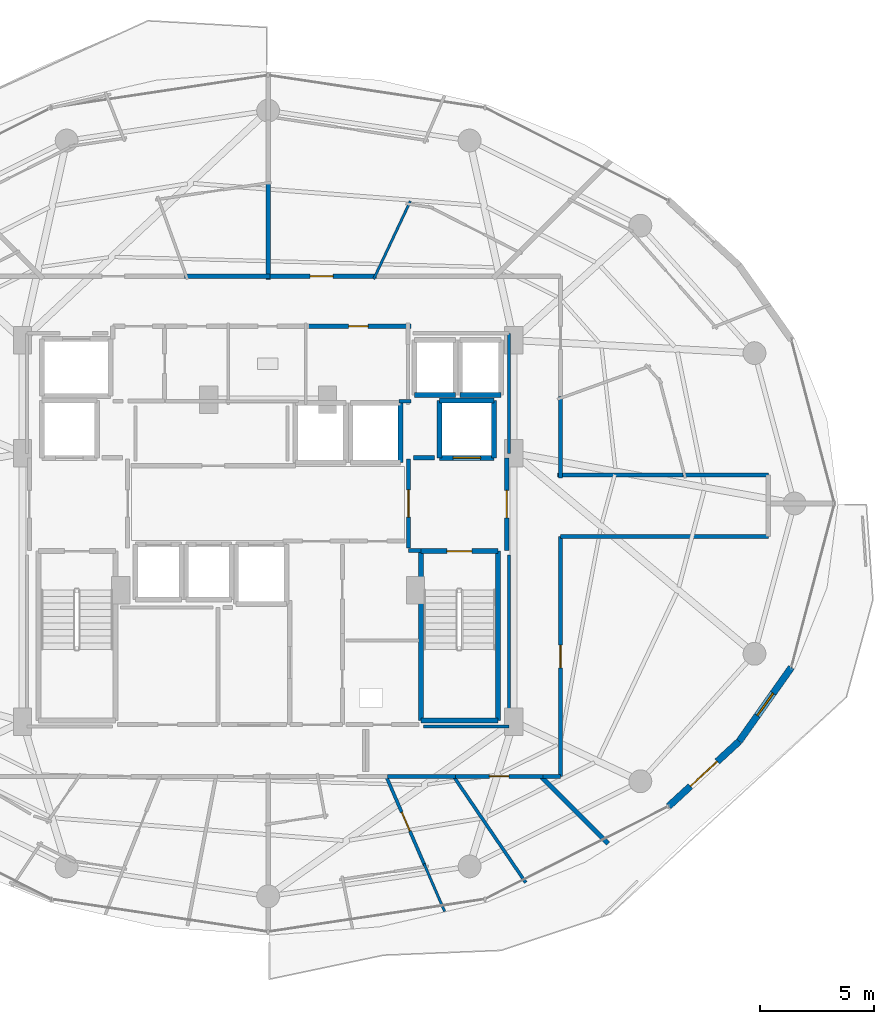
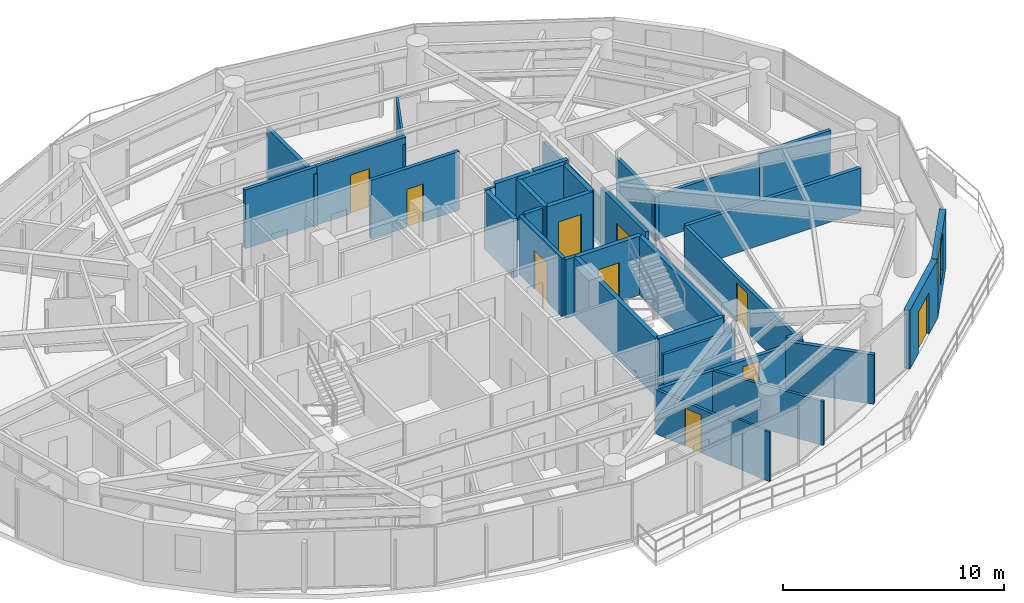
# One storey, part 25 of 31: 38 walls, 10 doors, 1 window, 11 openings.
"""IFC4 building model written with IfcOpenShell, lengths in metres."""

from ifc_helpers import new_model, si_unit, direction, frame, frame_2d, origin, place, context, subcontext, project, spatial, rectangle, extrude, material, layer, layer_set, type_object, element, fill, save


model = new_model("IFC4")

# Units and contexts
model_context = context("Model", 3, precision=1e-05, world=origin(), true_north=direction((0.0, 1.0)))
body_context = subcontext(model_context, "Body", "Model", "MODEL_VIEW")
ifc_project = project(units=[si_unit("LENGTHUNIT", "METRE"), si_unit("AREAUNIT", "SQUARE_METRE"), si_unit("VOLUMEUNIT", "CUBIC_METRE"), si_unit("PLANEANGLEUNIT", "RADIAN"), si_unit("MASSUNIT", "GRAM", prefix="KILO")], contexts=[model_context])

# Site, building, storey
site_placement = place(None, origin())
site = spatial("IfcSite", under=ifc_project, at=site_placement, CompositionType="ELEMENT")
building_placement = place(site_placement, origin())
building = spatial("IfcBuilding", under=site, at=building_placement, Name="Vorneva Point Tower", CompositionType="ELEMENT")
storey_placement = place(building_placement, frame((0.0, 0.0, 136.10009765625)))
storey = spatial("IfcBuildingStorey", under=building, at=storey_placement, Name="L36", CompositionType="ELEMENT", Elevation=136.10009765625)

# Wall, opening, door
ifc_material_1 = material(Name="Concrete B60 (C50/60)", Category="concrete")
ifc_layer_1 = layer(ifc_material_1, 0.5)
ifc_layer_set_1 = layer_set([ifc_layer_1], Name="Concrete B60 (C50/60)")
wall_type_1 = type_object("IfcWallType", Name="WL-CORE-500", PredefinedType="SHEAR", material=ifc_layer_set_1)
wall_1_placement = place(storey_placement, frame((45.5, 28.0, 0.0), z_axis=(0.0, 0.0, 1.0), x_axis=(1.0, 0.0, 0.0)))
wall_1 = element("IfcWall", 1, at=wall_1_placement, inside=storey, type_object=wall_type_1, Name="L36 Lift FFL2 Shaft Wall -Y", PredefinedType="SHEAR", context=body_context, shape_type="SweptSolid", body=[
    extrude(rectangle(XDim=2.39990234375, YDim=0.219970703125, at=frame_2d((1.199951171875, 0.0))), origin(), (0.0, 0.0, 1.0), 3.239990234375),
])
opening_1_placement = place(wall_1_placement, frame((0.60009765625, 0.0, 0.0)))
opening_1 = element("IfcOpeningElement", 2, at=opening_1_placement, cuts=wall_1, Name="Opening LD-02", PredefinedType="OPENING", context=body_context, shape_type="SweptSolid", body=[
    extrude(rectangle(XDim=1.199951171875, YDim=2.199951171875, at=frame_2d((0.60009765625, 1.10009765625))), frame((0.0, 0.125, 0.0), z_axis=(0.0, -1.0, 0.0), x_axis=(1.0, 0.0, 0.0)), (0.0, 0.0, 1.0), 0.249755859375),
])
ifc_material_2 = material(Name="Brushed stainless steel S304", Category="steel")
door_type_1 = type_object("IfcDoorType", Name="LD-FIRE-1200", OperationType="SLIDING_TO_LEFT", PredefinedType="DOOR", material=ifc_material_2)
door_1_placement = place(opening_1_placement, origin())
door_1 = element("IfcDoor", 3, at=door_1_placement, inside=storey, type_object=door_type_1, Name="L36 Lift FFL2 Sliding Landing Door", OperationType="SLIDING_TO_LEFT", OverallHeight=2.199951171875, OverallWidth=1.199951171875, PredefinedType="DOOR", context=body_context, shape_type="SweptSolid", body=[
    extrude(rectangle(XDim=1.199951171875, YDim=2.199951171875, at=frame_2d((0.60009765625, 1.10009765625))), frame((0.0, 0.02490234375, 0.0), z_axis=(0.0, -1.0, 0.0), x_axis=(1.0, 0.0, 0.0)), (0.0, 0.0, 1.0), 0.050048828125),
])
fill(opening_1, door_1)

# Walls
wall_2_placement = place(storey_placement, frame((47.89990234375, 28.0, 0.0), z_axis=(0.0, 0.0, 1.0), x_axis=(0.0, 1.0, 0.0)))
element("IfcWall", 4, at=wall_2_placement, inside=storey, type_object=wall_type_1, Name="L36 Lift FFL2 Shaft Wall +X", PredefinedType="SHEAR", context=body_context, shape_type="SweptSolid", body=[
    extrude(rectangle(XDim=2.5, YDim=0.219970703125, at=frame_2d((1.25, 0.0))), origin(), (0.0, 0.0, 1.0), 3.239990234375),
])
wall_3_placement = place(storey_placement, frame((47.89990234375, 30.5, 0.0), z_axis=(0.0, 0.0, 1.0), x_axis=(-1.0, 0.0, 0.0)))
element("IfcWall", 5, at=wall_3_placement, inside=storey, type_object=wall_type_1, Name="L36 Lift FFL2 Shaft Wall +Y", PredefinedType="SHEAR", context=body_context, shape_type="SweptSolid", body=[
    extrude(rectangle(XDim=2.39990234375, YDim=0.219970703125, at=frame_2d((1.199951171875, 0.0))), origin(), (0.0, 0.0, 1.0), 3.239990234375),
])
wall_4_placement = place(storey_placement, frame((45.5, 30.5, 0.0), z_axis=(0.0, 0.0, 1.0), x_axis=(0.0, -1.0, 0.0)))
element("IfcWall", 6, at=wall_4_placement, inside=storey, type_object=wall_type_1, Name="L36 Lift FFL2 Shaft Wall -X", PredefinedType="SHEAR", context=body_context, shape_type="SweptSolid", body=[
    extrude(rectangle(XDim=2.5, YDim=0.219970703125, at=frame_2d((1.25, 0.0))), origin(), (0.0, 0.0, 1.0), 3.239990234375),
])

# Wall, opening, door
ifc_material_3 = material(Name="Precast concrete B50 (C40/50)", Category="concrete")
ifc_layer_2 = layer(ifc_material_3, 0.300048828125)
ifc_layer_set_2 = layer_set([ifc_layer_2], Name="Precast concrete B50 (C40/50)")
wall_type_2 = type_object("IfcWallType", Name="WL-EXT-300", PredefinedType="STANDARD", material=ifc_layer_set_2)
wall_5_placement = place(storey_placement, frame((55.5361328125, 12.74169921875, 0.0), z_axis=(0.0, 0.0, 1.0), x_axis=(0.735477154165, 0.677549522693, 0.0)))
wall_5 = element("IfcWall", 7, at=wall_5_placement, inside=storey, type_object=wall_type_2, Name="L36 Pale-Metal Facade Spandrel Wall 15.1", PredefinedType="STANDARD", context=body_context, shape_type="SweptSolid", body=[
    extrude(rectangle(XDim=4.193603515625, YDim=0.300048828125, at=frame_2d((2.0966796875, 0.0))), origin(), (0.0, 0.0, 1.0), 3.239990234375),
])
opening_2_placement = place(wall_5_placement, frame((1.296875, 0.0, 0.0)))
opening_2 = element("IfcOpeningElement", 8, at=opening_2_placement, cuts=wall_5, Name="Opening BD-01", PredefinedType="OPENING", context=body_context, shape_type="SweptSolid", body=[
    extrude(rectangle(XDim=1.60009765625, YDim=2.300048828125, at=frame_2d((0.800048828125, 1.14990234375))), frame((0.0, 0.1650390625, 0.0), z_axis=(0.0, -1.0, 0.0), x_axis=(1.0, 0.0, 0.0)), (0.0, 0.0, 1.0), 0.329833984375),
])
ifc_material_4 = material(Name="Pale anodised aluminium", Category="aluminium")
door_type_2 = type_object("IfcDoorType", Name="DR-BAL-1600", OperationType="SLIDING_TO_LEFT", PredefinedType="DOOR", material=ifc_material_4)
door_2_placement = place(opening_2_placement, origin())
door_2 = element("IfcDoor", 9, at=door_2_placement, inside=storey, type_object=door_type_2, Name="L36 Balcony Terrace Access Door 15", OperationType="SLIDING_TO_LEFT", OverallHeight=2.300048828125, OverallWidth=1.60009765625, PredefinedType="DOOR", context=body_context, shape_type="SweptSolid", body=[
    extrude(rectangle(XDim=1.60009765625, YDim=2.300048828125, at=frame_2d((0.800048828125, 1.14990234375))), frame((0.0, 0.02490234375, 0.0), z_axis=(0.0, -1.0, 0.0), x_axis=(1.0, 0.0, 0.0)), (0.0, 0.0, 1.0), 0.050048828125),
])
fill(opening_2, door_2)

# Wall, opening, window
wall_6_placement = place(storey_placement, frame((58.620361328125, 15.5830078125, 0.0), z_axis=(0.0, 0.0, 1.0), x_axis=(0.577269753207, 0.816553508371, 0.0)))
wall_6 = element("IfcWall", 10, at=wall_6_placement, inside=storey, type_object=wall_type_2, Name="L36 Pale-Metal Facade Spandrel Wall 15.2", PredefinedType="STANDARD", context=body_context, shape_type="SweptSolid", body=[
    extrude(rectangle(XDim=3.969970703125, YDim=0.300048828125, at=frame_2d((1.98486328125, 0.0))), origin(), (0.0, 0.0, 1.0), 3.239990234375),
])
opening_3_placement = place(wall_6_placement, frame((1.385009765625, 0.0, 0.85009765625)))
opening_3 = element("IfcOpeningElement", 11, at=opening_3_placement, cuts=wall_6, Name="Opening W-04", PredefinedType="OPENING", context=body_context, shape_type="SweptSolid", body=[
    extrude(rectangle(XDim=1.199951171875, YDim=2.10009765625, at=frame_2d((0.60009765625, 1.050048828125))), frame((0.0, 0.1650390625, 0.0), z_axis=(0.0, -1.0, 0.0), x_axis=(1.0, 0.0, 0.0)), (0.0, 0.0, 1.0), 0.329833984375),
])
ifc_material_5 = material(Name="Double low-e laminated glass IGU", Category="glass")
window_type = type_object("IfcWindowType", Name="WN-RES-1200", PartitioningType="SINGLE_PANEL", PredefinedType="WINDOW", material=ifc_material_5)
window_placement = place(opening_3_placement, origin())
window = element("IfcWindow", 12, at=window_placement, inside=storey, type_object=window_type, Name="L36 Facade Window 15", OverallHeight=2.10009765625, OverallWidth=1.199951171875, PartitioningType="SINGLE_PANEL", PredefinedType="WINDOW", context=body_context, shape_type="SweptSolid", body=[
    extrude(rectangle(XDim=1.199951171875, YDim=2.10009765625, at=frame_2d((0.60009765625, 1.050048828125))), frame((0.0, 0.030029296875, 0.0), z_axis=(0.0, -1.0, 0.0), x_axis=(1.0, 0.0, 0.0)), (0.0, 0.0, 1.0), 0.06005859375),
])
fill(opening_3, window)

# Walls
ifc_material_6 = material(Name="Fire-rated acoustic gypsum stud partition", Category="gypsum")
ifc_layer_3 = layer(ifc_material_6, 0.110107421875)
ifc_layer_set_3 = layer_set([ifc_layer_3], Name="Fire-rated acoustic gypsum stud partition")
wall_type_3 = type_object("IfcWallType", Name="WL-PART-110", PredefinedType="PARTITIONING", material=ifc_layer_set_3)
wall_7_placement = place(storey_placement, frame((42.622314453125, 35.8232421875, 0.0), z_axis=(0.0, 0.0, 1.0), x_axis=(0.425768969191, 0.904831909735, 0.0)))
element("IfcWall", 13, at=wall_7_placement, inside=storey, type_object=wall_type_3, Name="L36 Interior Partition 075", PredefinedType="PARTITIONING", context=body_context, shape_type="SweptSolid", body=[
    extrude(rectangle(XDim=3.770263671875, YDim=0.110107421875, at=frame_2d((1.88525390625, 0.0))), origin(), (0.0, 0.0, 1.0), 2.8740234375),
])
wall_8_placement = place(storey_placement, frame((45.731689453125, 8.133544921875, 0.0), z_axis=(0.0, 0.0, 1.0), x_axis=(-0.397125966554, 0.91776411277, 0.0)))
element("IfcWall", 14, at=wall_8_placement, inside=storey, type_object=wall_type_3, Name="L36 Interior Partition 128", PredefinedType="PARTITIONING", context=body_context, shape_type="SweptSolid", body=[
    extrude(rectangle(XDim=2.277099609375, YDim=0.110107421875, at=frame_2d((1.138671875, 0.0))), origin(), (0.0, 0.0, 1.0), 2.727783203125),
])

# Wall, opening, door
ifc_layer_4 = layer(ifc_material_6, 0.139892578125)
ifc_layer_set_4 = layer_set([ifc_layer_4], Name="Fire-rated acoustic gypsum stud partition")
wall_type_4 = type_object("IfcWallType", Name="WL-PART-140", PredefinedType="PARTITIONING", material=ifc_layer_set_4)
wall_9_placement = place(storey_placement, frame((44.883056640625, 10.094970703125, 0.0), z_axis=(0.0, 0.0, 1.0), x_axis=(-0.397273563399, 0.917700232006, 0.0)))
wall_9 = element("IfcWall", 15, at=wall_9_placement, inside=storey, type_object=wall_type_4, Name="L36 Interior Partition 127", PredefinedType="PARTITIONING", context=body_context, shape_type="SweptSolid", body=[
    extrude(rectangle(XDim=4.309814453125, YDim=0.139892578125, at=frame_2d((2.15478515625, 0.0))), origin(), (0.0, 0.0, 1.0), 2.431884765625),
])
opening_4_placement = place(wall_9_placement, frame((1.704833984375, 0.0, 0.0)))
opening_4 = element("IfcOpeningElement", 16, at=opening_4_placement, cuts=wall_9, Name="Opening ID-01", PredefinedType="OPENING", context=body_context, shape_type="SweptSolid", body=[
    extrude(rectangle(XDim=0.89990234375, YDim=2.10009765625, at=frame_2d((0.449951171875, 1.050048828125))), frame((0.0, 0.0849609375, 0.0), z_axis=(0.0, -1.0, 0.0), x_axis=(1.0, 0.0, 0.0)), (0.0, 0.0, 1.0), 0.169677734375),
])
ifc_material_7 = material(Name="Engineered oak fire-rated door leaf", Category="wood")
door_type_3 = type_object("IfcDoorType", Name="DR-ROOM-900", OperationType="NOTDEFINED", PredefinedType="DOOR", material=ifc_material_7)
door_3_placement = place(opening_4_placement, origin())
door_3 = element("IfcDoor", 17, at=door_3_placement, inside=storey, type_object=door_type_3, Name="L36 Door Living and Dining Room L36-07 / Master Bedroom L36-07.1", OperationType="SINGLE_SWING_RIGHT", OverallHeight=2.10009765625, OverallWidth=0.89990234375, PredefinedType="DOOR", context=body_context, shape_type="SweptSolid", body=[
    extrude(rectangle(XDim=0.89990234375, YDim=2.10009765625, at=frame_2d((0.449951171875, 1.050048828125))), frame((0.0, 0.02490234375, 0.0), z_axis=(0.0, -1.0, 0.0), x_axis=(1.0, 0.0, 0.0)), (0.0, 0.0, 1.0), 0.050048828125),
])
fill(opening_4, door_3)

# Walls
wall_10_placement = place(storey_placement, frame((49.280029296875, 9.402099609375, 0.0), z_axis=(0.0, 0.0, 1.0), x_axis=(-0.562106811751, 0.827064648128, 0.0)))
element("IfcWall", 18, at=wall_10_placement, inside=storey, type_object=wall_type_4, Name="L36 Interior Partition 129", PredefinedType="PARTITIONING", context=body_context, shape_type="SweptSolid", body=[
    extrude(rectangle(XDim=5.619873046875, YDim=0.139892578125, at=frame_2d((2.81005859375, 0.0))), origin(), (0.0, 0.0, 1.0), 2.431884765625),
])
wall_11_placement = place(storey_placement, frame((43.735107421875, 30.47998046875, 0.0), z_axis=(0.0, 0.0, 1.0), x_axis=(1.0, 0.0, 0.0)))
element("IfcWall", 19, at=wall_11_placement, inside=storey, type_object=wall_type_4, Name="L36 Interior Closure Partition 134", PredefinedType="PARTITIONING", context=body_context, shape_type="SweptSolid", body=[
    extrude(rectangle(XDim=0.52490234375, YDim=0.139892578125, at=frame_2d((0.262451171875, 0.0))), origin(), (0.0, 0.0, 1.0), 3.239990234375),
])
wall_12_placement = place(storey_placement, frame((48.550048828125, 16.239990234375, 0.0), z_axis=(0.0, 0.0, 1.0), x_axis=(0.0, 1.0, 0.0)))
element("IfcWall", 20, at=wall_12_placement, inside=storey, type_object=wall_type_4, Name="L36 Interior Closure Partition 140", PredefinedType="PARTITIONING", context=body_context, shape_type="SweptSolid", body=[
    extrude(rectangle(XDim=7.513916015625, YDim=0.139892578125, at=frame_2d((3.7568359375, 0.0))), origin(), (0.0, 0.0, 1.0), 2.431884765625),
])
wall_13_placement = place(storey_placement, frame((48.550048828125, 28.196044921875, 0.0), z_axis=(0.0, 0.0, 1.0), x_axis=(0.0, 1.0, 0.0)))
element("IfcWall", 21, at=wall_13_placement, inside=storey, type_object=wall_type_4, Name="L36 Interior Closure Partition 141", PredefinedType="PARTITIONING", context=body_context, shape_type="SweptSolid", body=[
    extrude(rectangle(XDim=5.25390625, YDim=0.139892578125, at=frame_2d((2.626953125, 0.0))), origin(), (0.0, 0.0, 1.0), 2.431884765625),
])
wall_14_placement = place(storey_placement, frame((44.804931640625, 16.239990234375, 0.0), z_axis=(0.0, 0.0, 1.0), x_axis=(1.0, 0.0, 0.0)))
element("IfcWall", 22, at=wall_14_placement, inside=storey, type_object=wall_type_4, Name="L36 Interior Closure Partition 150", PredefinedType="PARTITIONING", context=body_context, shape_type="SweptSolid", body=[
    extrude(rectangle(XDim=3.7451171875, YDim=0.139892578125, at=frame_2d((1.87255859375, 0.0))), origin(), (0.0, 0.0, 1.0), 2.431884765625),
])

# Wall, opening, door
ifc_material_8 = material(Name="Autoclaved aerated concrete blockwork", Category="masonry")
ifc_layer_5 = layer(ifc_material_8, 0.179931640625)
ifc_layer_set_5 = layer_set([ifc_layer_5], Name="Autoclaved aerated concrete blockwork")
wall_type_5 = type_object("IfcWallType", Name="WL-PART-180", PredefinedType="PARTITIONING", material=ifc_layer_set_5)
wall_15_placement = place(storey_placement, frame((44.14990234375, 27.955078125, 0.0), z_axis=(0.0, 0.0, 1.0), x_axis=(0.0, -1.0, 0.0)))
wall_15 = element("IfcWall", 23, at=wall_15_placement, inside=storey, type_object=wall_type_5, Name="L36 Interior Partition 003", PredefinedType="PARTITIONING", context=body_context, shape_type="SweptSolid", body=[
    extrude(rectangle(XDim=3.91015625, YDim=0.179931640625, at=frame_2d((1.955078125, 0.0))), origin(), (0.0, 0.0, 1.0), 3.239990234375),
])
opening_5_placement = place(wall_15_placement, frame((1.35498046875, 0.0, 0.0)))
opening_5 = element("IfcOpeningElement", 24, at=opening_5_placement, cuts=wall_15, Name="Opening FD-02", PredefinedType="OPENING", context=body_context, shape_type="SweptSolid", body=[
    extrude(rectangle(XDim=1.199951171875, YDim=2.14990234375, at=frame_2d((0.60009765625, 1.074951171875))), frame((0.0, 0.10498046875, 0.0), z_axis=(0.0, -1.0, 0.0), x_axis=(1.0, 0.0, 0.0)), (0.0, 0.0, 1.0), 0.209716796875),
])
ifc_material_9 = material(Name="Fire-rated powder-coated steel", Category="steel")
door_type_4 = type_object("IfcDoorType", Name="DR-FFL-1200", OperationType="NOTDEFINED", PredefinedType="DOOR", material=ifc_material_9)
door_4_placement = place(opening_5_placement, origin())
door_4 = element("IfcDoor", 25, at=door_4_placement, inside=storey, type_object=door_type_4, Name="L36 Door East Firefighting Lobby / Central Lift Lobby", OperationType="SINGLE_SWING_RIGHT", OverallHeight=2.14990234375, OverallWidth=1.199951171875, PredefinedType="DOOR", context=body_context, shape_type="SweptSolid", body=[
    extrude(rectangle(XDim=1.199951171875, YDim=2.14990234375, at=frame_2d((0.60009765625, 1.074951171875))), frame((0.0, 0.02490234375, 0.0), z_axis=(0.0, -1.0, 0.0), x_axis=(1.0, 0.0, 0.0)), (0.0, 0.0, 1.0), 0.050048828125),
])
fill(opening_5, door_4)

# Wall
wall_16_placement = place(storey_placement, frame((44.14990234375, 23.949951171875, 0.0), z_axis=(0.0, 0.0, 1.0), x_axis=(1.0, 0.0, 0.0)))
element("IfcWall", 26, at=wall_16_placement, inside=storey, type_object=wall_type_5, Name="L36 Interior Partition 004", PredefinedType="PARTITIONING", context=body_context, shape_type="SweptSolid", body=[
    extrude(rectangle(XDim=0.5400390625, YDim=0.179931640625, at=frame_2d((0.27001953125, 0.0))), origin(), (0.0, 0.0, 1.0), 3.239990234375),
])

# Wall, opening, door
wall_17_placement = place(storey_placement, frame((48.449951171875, 23.949951171875, 0.0), z_axis=(0.0, 0.0, 1.0), x_axis=(0.0, 1.0, 0.0)))
wall_17 = element("IfcWall", 27, at=wall_17_placement, inside=storey, type_object=wall_type_5, Name="L36 Interior Partition 005", PredefinedType="PARTITIONING", context=body_context, shape_type="SweptSolid", body=[
    extrude(rectangle(XDim=4.050048828125, YDim=0.179931640625, at=frame_2d((2.02490234375, 0.0))), origin(), (0.0, 0.0, 1.0), 3.239990234375),
])
opening_6_placement = place(wall_17_placement, frame((1.425048828125, 0.0, 0.0)))
opening_6 = element("IfcOpeningElement", 28, at=opening_6_placement, cuts=wall_17, Name="Opening FD-02", PredefinedType="OPENING", context=body_context, shape_type="SweptSolid", body=[
    extrude(rectangle(XDim=1.199951171875, YDim=2.14990234375, at=frame_2d((0.60009765625, 1.074951171875))), frame((0.0, 0.10498046875, 0.0), z_axis=(0.0, -1.0, 0.0), x_axis=(1.0, 0.0, 0.0)), (0.0, 0.0, 1.0), 0.209716796875),
])
door_5_placement = place(opening_6_placement, origin())
door_5 = element("IfcDoor", 29, at=door_5_placement, inside=storey, type_object=door_type_4, Name="L36 Door East Firefighting Lobby / L36 Circulation Corridor", OperationType="SINGLE_SWING_LEFT", OverallHeight=2.14990234375, OverallWidth=1.199951171875, PredefinedType="DOOR", context=body_context, shape_type="SweptSolid", body=[
    extrude(rectangle(XDim=1.199951171875, YDim=2.14990234375, at=frame_2d((0.60009765625, 1.074951171875))), frame((0.0, 0.02490234375, 0.0), z_axis=(0.0, -1.0, 0.0), x_axis=(1.0, 0.0, 0.0)), (0.0, 0.0, 1.0), 0.050048828125),
])
fill(opening_6, door_5)

wall_18_placement = place(storey_placement, frame((44.260009765625, 33.760009765625, 0.0), z_axis=(0.0, 0.0, 1.0), x_axis=(-1.0, 0.0, 0.0)))
wall_18 = element("IfcWall", 30, at=wall_18_placement, inside=storey, type_object=wall_type_5, Name="L36 Interior Partition 025", PredefinedType="PARTITIONING", context=body_context, shape_type="SweptSolid", body=[
    extrude(rectangle(XDim=4.610107421875, YDim=0.179931640625, at=frame_2d((2.30517578125, 0.0))), origin(), (0.0, 0.0, 1.0), 3.239990234375),
])
opening_7_placement = place(wall_18_placement, frame((1.8798828125, 0.0, 0.0)))
opening_7 = element("IfcOpeningElement", 31, at=opening_7_placement, cuts=wall_18, Name="Opening ID-02", PredefinedType="OPENING", context=body_context, shape_type="SweptSolid", body=[
    extrude(rectangle(XDim=0.85009765625, YDim=2.10009765625, at=frame_2d((0.425048828125, 1.050048828125))), frame((0.0, 0.10498046875, 0.0), z_axis=(0.0, -1.0, 0.0), x_axis=(1.0, 0.0, 0.0)), (0.0, 0.0, 1.0), 0.209716796875),
])
door_type_5 = type_object("IfcDoorType", Name="DR-BATH-850", OperationType="NOTDEFINED", PredefinedType="DOOR", material=ifc_material_7)
door_6_placement = place(opening_7_placement, origin())
door_6 = element("IfcDoor", 32, at=door_6_placement, inside=storey, type_object=door_type_5, Name="L36 Door Public WC / L36 Circulation Corridor", OperationType="SINGLE_SWING_RIGHT", OverallHeight=2.10009765625, OverallWidth=0.85009765625, PredefinedType="DOOR", context=body_context, shape_type="SweptSolid", body=[
    extrude(rectangle(XDim=0.85009765625, YDim=2.10009765625, at=frame_2d((0.425048828125, 1.050048828125))), frame((0.0, 0.02490234375, 0.0), z_axis=(0.0, -1.0, 0.0), x_axis=(1.0, 0.0, 0.0)), (0.0, 0.0, 1.0), 0.050048828125),
])
fill(opening_7, door_6)

# Walls
wall_19_placement = place(storey_placement, frame((59.89990234375, 27.25, 0.0), z_axis=(0.0, 0.0, 1.0), x_axis=(-1.0, 0.0, 0.0)))
element("IfcWall", 33, at=wall_19_placement, inside=storey, type_object=wall_type_5, Name="L36 Interior Partition 031", PredefinedType="PARTITIONING", context=body_context, shape_type="SweptSolid", body=[
    extrude(rectangle(XDim=3.73095703125, YDim=0.179931640625, at=frame_2d((1.865478515625, 0.0))), origin(), (0.0, 0.0, 1.0), 2.8740234375),
])
wall_20_placement = place(storey_placement, frame((56.30908203125, 27.25, 0.0), z_axis=(0.0, 0.0, 1.0), x_axis=(-1.0, 0.0, 0.0)))
element("IfcWall", 34, at=wall_20_placement, inside=storey, type_object=wall_type_5, Name="L36 Interior Partition 034", PredefinedType="PARTITIONING", context=body_context, shape_type="SweptSolid", body=[
    extrude(rectangle(XDim=5.649169921875, YDim=0.179931640625, at=frame_2d((2.82470703125, 0.0))), origin(), (0.0, 0.0, 1.0), 2.431884765625),
])
wall_21_placement = place(storey_placement, frame((50.800048828125, 27.110107421875, 0.0), z_axis=(0.0, 0.0, 1.0), x_axis=(0.0, 1.0, 0.0)))
element("IfcWall", 35, at=wall_21_placement, inside=storey, type_object=wall_type_5, Name="L36 Interior Partition 035", PredefinedType="PARTITIONING", context=body_context, shape_type="SweptSolid", body=[
    extrude(rectangle(XDim=3.577880859375, YDim=0.179931640625, at=frame_2d((1.7890625, 0.0))), origin(), (0.0, 0.0, 1.0), 2.431884765625),
])

# Wall, opening, door
wall_22_placement = place(storey_placement, frame((42.748046875, 35.949951171875, 0.0), z_axis=(0.0, 0.0, 1.0), x_axis=(-1.0, 0.0, 0.0)))
wall_22 = element("IfcWall", 36, at=wall_22_placement, inside=storey, type_object=wall_type_5, Name="L36 Interior Partition 036", PredefinedType="PARTITIONING", context=body_context, shape_type="SweptSolid", body=[
    extrude(rectangle(XDim=4.80810546875, YDim=0.179931640625, at=frame_2d((2.404052734375, 0.0))), origin(), (0.0, 0.0, 1.0), 3.239990234375),
])
opening_8_placement = place(wall_22_placement, frame((1.904052734375, 0.0, 0.0)))
opening_8 = element("IfcOpeningElement", 37, at=opening_8_placement, cuts=wall_22, Name="Opening UD-01", PredefinedType="OPENING", context=body_context, shape_type="SweptSolid", body=[
    extrude(rectangle(XDim=1.0, YDim=2.14990234375, at=frame_2d((0.5, 1.074951171875))), frame((0.0, 0.10498046875, 0.0), z_axis=(0.0, -1.0, 0.0), x_axis=(1.0, 0.0, 0.0)), (0.0, 0.0, 1.0), 0.209716796875),
])
door_type_6 = type_object("IfcDoorType", Name="DR-UNIT-1000", OperationType="NOTDEFINED", PredefinedType="DOOR", material=ifc_material_7)
door_7_placement = place(opening_8_placement, origin())
door_7 = element("IfcDoor", 38, at=door_7_placement, inside=storey, type_object=door_type_6, Name="L36 Door L36 Circulation Corridor / Studio Apartment L36-02", OperationType="SINGLE_SWING_RIGHT", OverallHeight=2.14990234375, OverallWidth=1.0, PredefinedType="DOOR", context=body_context, shape_type="SweptSolid", body=[
    extrude(rectangle(XDim=1.0, YDim=2.14990234375, at=frame_2d((0.5, 1.074951171875))), frame((0.0, 0.02490234375, 0.0), z_axis=(0.0, -1.0, 0.0), x_axis=(1.0, 0.0, 0.0)), (0.0, 0.0, 1.0), 0.050048828125),
])
fill(opening_8, door_7)

# Walls
wall_23_placement = place(storey_placement, frame((38.080078125, 35.949951171875, 0.0), z_axis=(0.0, 0.0, 1.0), x_axis=(-1.0, 0.0, 0.0)))
element("IfcWall", 39, at=wall_23_placement, inside=storey, type_object=wall_type_5, Name="L36 Interior Partition 039", PredefinedType="PARTITIONING", context=body_context, shape_type="SweptSolid", body=[
    extrude(rectangle(XDim=3.7421875, YDim=0.179931640625, at=frame_2d((1.87109375, 0.0))), origin(), (0.0, 0.0, 1.0), 3.239990234375),
])
wall_24_placement = place(storey_placement, frame((43.236083984375, 14.050048828125, 0.0), z_axis=(0.0, 0.0, 1.0), x_axis=(1.0, 0.0, 0.0)))
element("IfcWall", 40, at=wall_24_placement, inside=storey, type_object=wall_type_5, Name="L36 Interior Partition 059", PredefinedType="PARTITIONING", context=body_context, shape_type="SweptSolid", body=[
    extrude(rectangle(XDim=2.9580078125, YDim=0.179931640625, at=frame_2d((1.47900390625, 0.0))), origin(), (0.0, 0.0, 1.0), 2.431884765625),
])

# Wall, opening, door
wall_25_placement = place(storey_placement, frame((46.194091796875, 14.050048828125, 0.0), z_axis=(0.0, 0.0, 1.0), x_axis=(1.0, 0.0, 0.0)))
wall_25 = element("IfcWall", 41, at=wall_25_placement, inside=storey, type_object=wall_type_5, Name="L36 Interior Partition 060", PredefinedType="PARTITIONING", context=body_context, shape_type="SweptSolid", body=[
    extrude(rectangle(XDim=3.8408203125, YDim=0.179931640625, at=frame_2d((1.92041015625, 0.0))), origin(), (0.0, 0.0, 1.0), 2.431884765625),
])
opening_9_placement = place(wall_25_placement, frame((1.49560546875, 0.0, 0.0)))
opening_9 = element("IfcOpeningElement", 42, at=opening_9_placement, cuts=wall_25, Name="Opening ID-02", PredefinedType="OPENING", context=body_context, shape_type="SweptSolid", body=[
    extrude(rectangle(XDim=0.85009765625, YDim=2.10009765625, at=frame_2d((0.425048828125, 1.050048828125))), frame((0.0, 0.10498046875, 0.0), z_axis=(0.0, -1.0, 0.0), x_axis=(1.0, 0.0, 0.0)), (0.0, 0.0, 1.0), 0.209716796875),
])
door_8_placement = place(opening_9_placement, origin())
door_8 = element("IfcDoor", 43, at=door_8_placement, inside=storey, type_object=door_type_5, Name="L36 Access Door L36 Circulation Corridor", OperationType="SINGLE_SWING_LEFT", OverallHeight=2.10009765625, OverallWidth=0.85009765625, PredefinedType="DOOR", context=body_context, shape_type="SweptSolid", body=[
    extrude(rectangle(XDim=0.85009765625, YDim=2.10009765625, at=frame_2d((0.425048828125, 1.050048828125))), frame((0.0, 0.02490234375, 0.0), z_axis=(0.0, -1.0, 0.0), x_axis=(1.0, 0.0, 0.0)), (0.0, 0.0, 1.0), 0.050048828125),
])
fill(opening_9, door_8)

# Wall
wall_26_placement = place(storey_placement, frame((50.034912109375, 14.050048828125, 0.0), z_axis=(0.0, 0.0, 1.0), x_axis=(1.0, 0.0, 0.0)))
element("IfcWall", 44, at=wall_26_placement, inside=storey, type_object=wall_type_5, Name="L36 Interior Partition 061", PredefinedType="PARTITIONING", context=body_context, shape_type="SweptSolid", body=[
    extrude(rectangle(XDim=0.76513671875, YDim=0.179931640625, at=frame_2d((0.382568359375, 0.0))), origin(), (0.0, 0.0, 1.0), 2.8740234375),
])

# Wall, opening, door
wall_27_placement = place(storey_placement, frame((50.800048828125, 14.050048828125, 0.0), z_axis=(0.0, 0.0, 1.0), x_axis=(0.0, 1.0, 0.0)))
wall_27 = element("IfcWall", 45, at=wall_27_placement, inside=storey, type_object=wall_type_5, Name="L36 Interior Partition 062", PredefinedType="PARTITIONING", context=body_context, shape_type="SweptSolid", body=[
    extrude(rectangle(XDim=10.5, YDim=0.179931640625, at=frame_2d((5.25, 0.0))), origin(), (0.0, 0.0, 1.0), 2.431884765625),
])
opening_10_placement = place(wall_27_placement, frame((4.75, 0.0, 0.0)))
opening_10 = element("IfcOpeningElement", 46, at=opening_10_placement, cuts=wall_27, Name="Opening UD-01", PredefinedType="OPENING", context=body_context, shape_type="SweptSolid", body=[
    extrude(rectangle(XDim=1.0, YDim=2.14990234375, at=frame_2d((0.5, 1.074951171875))), frame((0.0, 0.10498046875, 0.0), z_axis=(0.0, -1.0, 0.0), x_axis=(1.0, 0.0, 0.0)), (0.0, 0.0, 1.0), 0.209716796875),
])
door_9_placement = place(opening_10_placement, origin())
door_9 = element("IfcDoor", 47, at=door_9_placement, inside=storey, type_object=door_type_6, Name="L36 Door L36 Circulation Corridor / Residents Sky Lounge L36-08", OperationType="SINGLE_SWING_RIGHT", OverallHeight=2.14990234375, OverallWidth=1.0, PredefinedType="DOOR", context=body_context, shape_type="SweptSolid", body=[
    extrude(rectangle(XDim=1.0, YDim=2.14990234375, at=frame_2d((0.5, 1.074951171875))), frame((0.0, 0.02490234375, 0.0), z_axis=(0.0, -1.0, 0.0), x_axis=(1.0, 0.0, 0.0)), (0.0, 0.0, 1.0), 0.050048828125),
])
fill(opening_10, door_9)

# Walls
wall_28_placement = place(storey_placement, frame((50.800048828125, 24.550048828125, 0.0), z_axis=(0.0, 0.0, 1.0), x_axis=(1.0, 0.0, 0.0)))
element("IfcWall", 48, at=wall_28_placement, inside=storey, type_object=wall_type_5, Name="L36 Interior Partition 063", PredefinedType="PARTITIONING", context=body_context, shape_type="SweptSolid", body=[
    extrude(rectangle(XDim=9.099853515625, YDim=0.179931640625, at=frame_2d((4.5498046875, 0.0))), origin(), (0.0, 0.0, 1.0), 2.431884765625),
])
wall_29_placement = place(storey_placement, frame((45.280029296875, 28.0, 0.0), z_axis=(0.0, 0.0, 1.0), x_axis=(-1.0, 0.0, 0.0)))
element("IfcWall", 49, at=wall_29_placement, inside=storey, type_object=wall_type_5, Name="L36 Interior Closure Partition 132", PredefinedType="PARTITIONING", context=body_context, shape_type="SweptSolid", body=[
    extrude(rectangle(XDim=0.9150390625, YDim=0.179931640625, at=frame_2d((0.45751953125, 0.0))), origin(), (0.0, 0.0, 1.0), 3.239990234375),
])
ifc_layer_6 = layer(ifc_material_8, 0.199951171875)
ifc_layer_set_6 = layer_set([ifc_layer_6], Name="Autoclaved aerated concrete blockwork")
wall_type_6 = type_object("IfcWallType", Name="WL-PART-200", PredefinedType="PARTITIONING", material=ifc_layer_set_6)
wall_30_placement = place(storey_placement, frame((38.0, 40.114990234375, 0.0), z_axis=(0.0, 0.0, 1.0), x_axis=(0.0, -1.0, 0.0)))
element("IfcWall", 50, at=wall_30_placement, inside=storey, type_object=wall_type_6, Name="L36 Interior Partition 081", PredefinedType="PARTITIONING", context=body_context, shape_type="SweptSolid", body=[
    extrude(rectangle(XDim=4.304931640625, YDim=0.199951171875, at=frame_2d((2.15234375, 0.0))), origin(), (0.0, 0.0, 1.0), 2.8740234375),
])
wall_31_placement = place(storey_placement, frame((52.89501953125, 11.10498046875, 0.0), z_axis=(0.0, 0.0, 1.0), x_axis=(-0.707106781187, 0.707106781187, 0.0)))
element("IfcWall", 51, at=wall_31_placement, inside=storey, type_object=wall_type_6, Name="L36 Interior Partition 130", PredefinedType="PARTITIONING", context=body_context, shape_type="SweptSolid", body=[
    extrude(rectangle(XDim=4.1650390625, YDim=0.199951171875, at=frame_2d((2.08251953125, 0.0))), origin(), (0.0, 0.0, 1.0), 2.727783203125),
])

# Wall, opening, door
ifc_material_10 = material(Name="Concrete B50 (C40/50)", Category="concrete")
ifc_layer_7 = layer(ifc_material_10, 0.219970703125)
ifc_layer_set_7 = layer_set([ifc_layer_7], Name="Concrete B50 (C40/50)")
wall_type_7 = type_object("IfcWallType", Name="WL-SHFT-220", PredefinedType="SOLIDWALL", material=ifc_layer_set_7)
wall_32_placement = place(storey_placement, frame((44.68994140625, 23.909912109375, 0.0), z_axis=(0.0, 0.0, 1.0), x_axis=(1.0, 0.0, 0.0)))
wall_32 = element("IfcWall", 52, at=wall_32_placement, inside=storey, type_object=wall_type_7, Name="L36 Exit Stair ST2 Shaft Wall near", PredefinedType="SOLIDWALL", context=body_context, shape_type="SweptSolid", body=[
    extrude(rectangle(XDim=3.3701171875, YDim=0.219970703125, at=frame_2d((1.68505859375, 0.0))), origin(), (0.0, 0.0, 1.0), 3.239990234375),
])
opening_11_placement = place(wall_32_placement, frame((1.135009765625, 0.0, 0.0)))
opening_11 = element("IfcOpeningElement", 53, at=opening_11_placement, cuts=wall_32, Name="Opening FD-01", PredefinedType="OPENING", context=body_context, shape_type="SweptSolid", body=[
    extrude(rectangle(XDim=1.10009765625, YDim=2.14990234375, at=frame_2d((0.550048828125, 1.074951171875))), frame((0.0, 0.125, 0.0), z_axis=(0.0, -1.0, 0.0), x_axis=(1.0, 0.0, 0.0)), (0.0, 0.0, 1.0), 0.249755859375),
])
door_type_7 = type_object("IfcDoorType", Name="DR-STAIR-1100", OperationType="NOTDEFINED", PredefinedType="DOOR", material=ifc_material_9)
door_10_placement = place(opening_11_placement, origin())
door_10 = element("IfcDoor", 54, at=door_10_placement, inside=storey, type_object=door_type_7, Name="L36 Exit Stair ST2 Fire Door", OperationType="SINGLE_SWING_LEFT", OverallHeight=2.14990234375, OverallWidth=1.10009765625, PredefinedType="DOOR", context=body_context, shape_type="SweptSolid", body=[
    extrude(rectangle(XDim=1.10009765625, YDim=2.14990234375, at=frame_2d((0.550048828125, 1.074951171875))), frame((0.0, 0.02490234375, 0.0), z_axis=(0.0, -1.0, 0.0), x_axis=(1.0, 0.0, 0.0)), (0.0, 0.0, 1.0), 0.050048828125),
])
fill(opening_11, door_10)

# Walls
wall_33_placement = place(storey_placement, frame((48.06005859375, 23.909912109375, 0.0), z_axis=(0.0, 0.0, 1.0), x_axis=(0.0, -1.0, 0.0)))
element("IfcWall", 55, at=wall_33_placement, inside=storey, type_object=wall_type_7, Name="L36 Exit Stair ST2 Shaft Wall right", PredefinedType="SOLIDWALL", context=body_context, shape_type="SweptSolid", body=[
    extrude(rectangle(XDim=7.419921875, YDim=0.219970703125, at=frame_2d((3.7099609375, 0.0))), origin(), (0.0, 0.0, 1.0), 3.239990234375),
])
wall_34_placement = place(storey_placement, frame((48.06005859375, 16.489990234375, 0.0), z_axis=(0.0, 0.0, 1.0), x_axis=(-1.0, 0.0, 0.0)))
element("IfcWall", 56, at=wall_34_placement, inside=storey, type_object=wall_type_7, Name="L36 Exit Stair ST2 Shaft Wall far", PredefinedType="SOLIDWALL", context=body_context, shape_type="SweptSolid", body=[
    extrude(rectangle(XDim=3.3701171875, YDim=0.219970703125, at=frame_2d((1.68505859375, 0.0))), origin(), (0.0, 0.0, 1.0), 3.239990234375),
])
wall_35_placement = place(storey_placement, frame((44.68994140625, 16.489990234375, 0.0), z_axis=(0.0, 0.0, 1.0), x_axis=(0.0, 1.0, 0.0)))
element("IfcWall", 57, at=wall_35_placement, inside=storey, type_object=wall_type_7, Name="L36 Exit Stair ST2 Shaft Wall left", PredefinedType="SOLIDWALL", context=body_context, shape_type="SweptSolid", body=[
    extrude(rectangle(XDim=7.419921875, YDim=0.219970703125, at=frame_2d((3.7099609375, 0.0))), origin(), (0.0, 0.0, 1.0), 3.239990234375),
])
wall_36_placement = place(storey_placement, frame((43.800048828125, 27.800048828125, 0.0), z_axis=(0.0, 0.0, 1.0), x_axis=(0.0, 1.0, 0.0)))
element("IfcWall", 58, at=wall_36_placement, inside=storey, type_object=wall_type_7, Name="L36 Lift PL8 Shaft Wall +X", PredefinedType="SOLIDWALL", context=body_context, shape_type="SweptSolid", body=[
    extrude(rectangle(XDim=2.599853515625, YDim=0.219970703125, at=frame_2d((1.2998046875, 0.0))), origin(), (0.0, 0.0, 1.0), 3.239990234375),
])
for number, where, z_axis, x_axis, name in (
    (59, (44.39990234375, 30.739990234375, 0.0), (0.0, 0.0, 1.0), (1.0, 0.0, 0.0), "L36 Lift EX1 Shaft Wall -Y"),
    (60, (46.39990234375, 30.739990234375, 0.0), (0.0, 0.0, 1.0), (1.0, 0.0, 0.0), "L36 Lift EX2 Shaft Wall -Y"),
):
    element("IfcWall", number, at=place(storey_placement, frame(where, z_axis=z_axis, x_axis=x_axis)), inside=storey, type_object=wall_type_7, Name=name, PredefinedType="SOLIDWALL", context=body_context, shape_type="SweptSolid", body=[
        extrude(rectangle(XDim=1.800048828125, YDim=0.219970703125, at=frame_2d((0.89990234375, 0.0))), origin(), (0.0, 0.0, 1.0), 3.239990234375),
    ])

save(model, "model.ifc")
